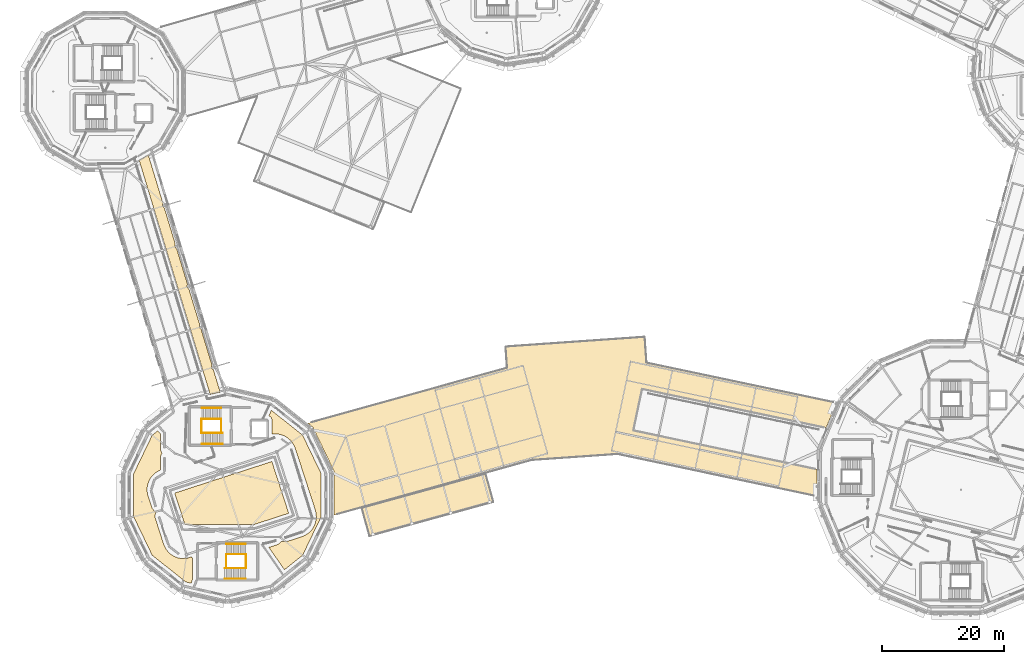
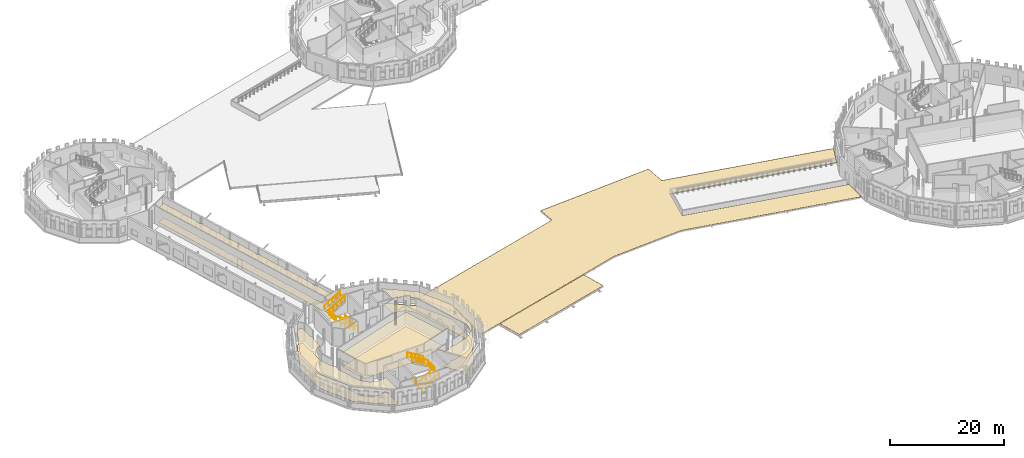
# One storey, part 85 of 90: 12 railings, 10 coverings.
"""IFC4 building model written with IfcOpenShell, lengths in metres."""

from ifc_helpers import new_model, si_unit, direction, frame, origin, origin_2d, place, context, subcontext, project, spatial, polyline, circle, outline, extrude, material, layer, layer_set, type_object, element, save


model = new_model("IFC4")

# Units and contexts
model_context = context("Model", 3, precision=1e-05, world=origin(), true_north=direction((0.0, 1.0)))
body_context = subcontext(model_context, "Body", "Model", "MODEL_VIEW")
ifc_project = project(units=[si_unit("LENGTHUNIT", "METRE"), si_unit("AREAUNIT", "SQUARE_METRE"), si_unit("VOLUMEUNIT", "CUBIC_METRE"), si_unit("PLANEANGLEUNIT", "RADIAN"), si_unit("MASSUNIT", "GRAM", prefix="KILO")], contexts=[model_context])

# Site, building, storey
site_placement = place(None, origin())
site = spatial("IfcSite", under=ifc_project, at=site_placement, CompositionType="ELEMENT")
building_placement = place(site_placement, origin())
building = spatial("IfcBuilding", under=site, at=building_placement, Name="Wrenclough Park School", CompositionType="ELEMENT")
storey_placement = place(building_placement, frame((0.0, 0.0, 8.39990234375)))
storey = spatial("IfcBuildingStorey", under=building, at=storey_placement, Name="L02", CompositionType="ELEMENT", Elevation=8.39990234375)

# Coverings
ifc_material_1 = material(Name="Patinated copper-alloy standing-seam eave cladding", Category="aluminium")
ifc_layer_1 = layer(ifc_material_1, 0.044921875)
ifc_layer_set_1 = layer_set([ifc_layer_1], Name="Patinated copper-alloy standing-seam eave cladding")
covering_type_1 = type_object("IfcCoveringType", Name="ENV-COV-EAVE", PredefinedType="CLADDING", material=ifc_layer_set_1)
covering_1_placement = place(storey_placement, origin())
element("IfcCovering", 1, at=covering_1_placement, inside=storey, type_object=covering_type_1, Name="Patinated copper overhanging eave cladding EAVE-W12-L02", PredefinedType="CLADDING", context=body_context, shape_type="SweptSolid", body=[
    extrude(outline(polyline([(86.192138671875, 29.23095703125), (100.22314453125, 30.212158203125), (132.891845703125, 23.306640625), (132.891845703125, 27.690185546875), (102.7724609375, 34.06103515625), (104.22314453125, 40.939208984375), (134.368896484375, 34.5625), (136.03564453125, 38.5869140625), (105.01220703125, 45.14453125), (104.716552734375, 49.372314453125), (81.971923828125, 47.781982421875), (82.21435546875, 44.31689453125), (49.666748046875, 35.260009765625), (50.45947265625, 34.623779296875), (53.90185546875, 27.47412109375), (53.90380859375, 20.246337890625), (86.192138671875, 29.23095703125)])), origin(), (0.0, 0.0, 1.0), 0.045166015625),
])
covering_2_placement = place(storey_placement, origin())
element("IfcCovering", 2, at=covering_2_placement, inside=storey, type_object=covering_type_1, Name="Patinated copper overhanging eave cladding EAVE-ENTRANCE", PredefinedType="CLADDING", context=body_context, shape_type="SweptSolid", body=[
    extrude(outline(polyline([(78.714599609375, 27.005126953125), (58.470458984375, 21.42138671875), (59.741455078125, 16.8134765625), (79.985595703125, 22.397216796875), (78.714599609375, 27.005126953125)])), origin(), (0.0, 0.0, 1.0), 0.045166015625),
])
ifc_material_2 = material(Name="Class A mineral-fibre acoustic ceiling raft", Category="gypsum")
ifc_layer_2 = layer(ifc_material_2, 0.044921875)
ifc_layer_set_2 = layer_set([ifc_layer_2], Name="Class A mineral-fibre acoustic ceiling raft")
covering_type_2 = type_object("IfcCoveringType", Name="INT-COV-CEIL", PredefinedType="CEILING", material=ifc_layer_set_2)
covering_3_placement = place(storey_placement, frame((0.0, 0.0, 3.05517578125)))
element("IfcCovering", 3, at=covering_3_placement, inside=storey, type_object=covering_type_2, Name="Assembly Hall acoustic ceiling raft", PredefinedType="CEILING", context=body_context, shape_type="SweptSolid", body=[
    extrude(outline(polyline([(27.883544921875, 23.851806640625), (29.5576171875, 18.699951171875), (40.82861328125, 18.699951171875), (46.5166015625, 20.548095703125), (43.76611328125, 29.012451171875), (27.883544921875, 23.851806640625)])), origin(), (0.0, 0.0, 1.0), 0.044921875),
])
covering_4_placement = place(storey_placement, frame((0.0, 0.0, 3.05517578125)))
element("IfcCovering", 4, at=covering_4_placement, inside=storey, type_object=covering_type_2, Name="Backstage Dressing Studio acoustic ceiling raft", PredefinedType="CEILING", context=body_context, shape_type="SweptSolid", body=[
    extrude(outline(polyline([(24.83349609375, 20.745361328125), (24.567626953125, 20.932861328125), (24.472900390625, 21.015380859375), (24.256591796875, 21.289306640625), (24.215087890625, 21.349365234375), (24.1806640625, 21.41357421875), (24.15380859375, 21.481201171875), (23.51318359375, 23.3955078125), (23.439453125, 23.685302734375), (23.423828125, 23.76904296875), (23.37060546875, 24.2177734375), (23.366455078125, 24.313232421875), (23.381103515625, 24.738037109375), (23.51025390625, 25.390625), (23.761474609375, 26.00439453125), (24.042236328125, 26.447998046875), (24.114013671875, 26.540283203125), (24.5205078125, 26.973876953125), (24.855224609375, 27.235107421875), (24.935791015625, 27.2880859375), (25.33642578125, 27.511962890625), (25.431884765625, 27.5556640625), (25.55322265625, 27.599609375), (25.5712890625, 29.728515625), (25.595703125, 29.85009765625), (25.673583984375, 30.10009765625), (25.720703125, 30.195556640625), (25.8134765625, 30.350341796875), (25.773193359375, 30.4228515625), (25.62744140625, 30.74462890625), (25.597412109375, 30.866455078125), (25.556640625, 31.146728515625), (25.550048828125, 31.240234375), (25.550048828125, 33.53076171875), (25.077392578125, 34.00341796875), (24.203369140625, 33.306396484375), (21.166259765625, 27.0), (21.166259765625, 20.000244140625), (24.203369140625, 13.693603515625), (29.67578125, 9.329345703125), (30.575927734375, 9.1240234375), (30.782470703125, 9.69189453125), (30.75048828125, 13.443115234375), (30.67578125, 13.416015625), (30.60400390625, 13.3994140625), (30.233642578125, 13.3369140625), (30.17724609375, 13.293701171875), (30.069580078125, 13.236083984375), (29.95263671875, 13.20068359375), (29.89208984375, 13.19189453125), (29.77001953125, 13.19189453125), (29.70947265625, 13.20068359375), (29.607666015625, 13.230712890625), (29.34033203125, 13.17138671875), (29.215087890625, 13.156005859375), (28.837890625, 13.180419921875), (28.735107421875, 13.1962890625), (28.3251953125, 13.295654296875), (27.722900390625, 13.5478515625), (27.168701171875, 13.917236328125), (26.751953125, 14.32080078125), (26.366943359375, 14.8583984375), (26.061767578125, 15.5439453125), (24.7177734375, 19.739013671875), (24.699462890625, 19.809814453125), (24.689208984375, 19.8818359375), (24.699951171875, 20.313720703125), (24.728759765625, 20.439697265625), (24.83349609375, 20.745361328125)])), origin(), (0.0, 0.0, 1.0), 0.044921875),
])
covering_5_placement = place(storey_placement, frame((0.0, 0.0, 3.05517578125)))
element("IfcCovering", 5, at=covering_5_placement, inside=storey, type_object=covering_type_2, Name="Stage Control Classroom acoustic ceiling raft", PredefinedType="CEILING", context=body_context, shape_type="SweptSolid", body=[
    extrude(outline(polyline([(43.77001953125, 35.820068359375), (43.77001953125, 33.482666015625), (44.1904296875, 33.52978515625), (44.872802734375, 33.48583984375), (45.55419921875, 33.29638671875), (45.671875, 33.25048828125), (46.074462890625, 33.04541015625), (46.147216796875, 33.002197265625), (46.37353515625, 32.8466796875), (46.448486328125, 32.78662109375), (46.900390625, 32.36181640625), (47.2607421875, 31.8662109375), (47.326904296875, 31.751220703125), (47.599365234375, 31.130126953125), (50.86328125, 21.084716796875), (51.005859375, 20.45556640625), (51.0283203125, 19.77734375), (50.90673828125, 19.0810546875), (50.872314453125, 18.959228515625), (50.707763671875, 18.53857421875), (50.6669921875, 18.453125), (50.4453125, 18.07373046875), (50.278076171875, 17.8466796875), (50.22314453125, 17.78173828125), (49.91015625, 17.4560546875), (49.81396484375, 17.373779296875), (49.234619140625, 16.972900390625), (48.692626953125, 16.73681640625), (46.21435546875, 15.93505859375), (46.085205078125, 15.907470703125), (45.625244140625, 15.901123046875), (45.551025390625, 15.90478515625), (45.477783203125, 15.9169921875), (45.324462890625, 15.96630859375), (45.266845703125, 15.88720703125), (45.212890625, 15.8310546875), (44.9560546875, 15.59912109375), (44.892333984375, 15.55810546875), (44.6689453125, 15.435791015625), (43.26318359375, 14.974365234375), (45.8212890625, 11.32080078125), (48.796630859375, 13.693603515625), (51.833740234375, 20.0), (51.833740234375, 26.999755859375), (48.796630859375, 33.306396484375), (43.689208984375, 37.37939453125), (43.258056640625, 36.45458984375), (43.36865234375, 36.42041015625), (43.481201171875, 36.360595703125), (43.57958984375, 36.279541015625), (43.62255859375, 36.232421875), (43.693115234375, 36.12646484375), (43.720458984375, 36.068603515625), (43.757568359375, 35.94677734375), (43.77001953125, 35.820068359375)])), origin(), (0.0, 0.0, 1.0), 0.044921875),
])
covering_6_placement = place(storey_placement, frame((0.0, 0.0, 3.05517578125)))
element("IfcCovering", 6, at=covering_6_placement, inside=storey, type_object=covering_type_2, Name="Design Tutorial Studio L02 acoustic ceiling raft", PredefinedType="CEILING", context=body_context, shape_type="SweptSolid", body=[
    extrude(outline(polyline([(33.681884765625, 39.9697265625), (35.314697265625, 40.34228515625), (34.200927734375, 44.01806640625), (34.134033203125, 44.05517578125), (34.093017578125, 44.085693359375), (34.0205078125, 44.157958984375), (33.9638671875, 44.242919921875), (33.9248046875, 44.33740234375), (33.90478515625, 44.43798828125), (33.90478515625, 44.5400390625), (33.9248046875, 44.640380859375), (33.94189453125, 44.688720703125), (33.97705078125, 44.7568359375), (32.200927734375, 50.617919921875), (32.093017578125, 50.685546875), (32.0205078125, 50.758056640625), (31.9638671875, 50.843017578125), (31.9248046875, 50.9375), (31.90478515625, 51.037841796875), (31.90478515625, 51.14013671875), (31.9248046875, 51.240478515625), (31.94189453125, 51.288818359375), (31.97705078125, 51.35693359375), (30.20068359375, 57.218017578125), (30.093017578125, 57.28564453125), (30.0205078125, 57.35791015625), (29.9638671875, 57.443115234375), (29.9248046875, 57.53759765625), (29.90478515625, 57.637939453125), (29.90478515625, 57.739990234375), (29.9248046875, 57.840576171875), (29.94189453125, 57.888671875), (29.976806640625, 57.956787109375), (28.20068359375, 63.818115234375), (28.093017578125, 63.885498046875), (28.0205078125, 63.9580078125), (27.9638671875, 64.04296875), (27.9248046875, 64.137451171875), (27.90478515625, 64.23779296875), (27.90478515625, 64.340087890625), (27.9248046875, 64.4404296875), (27.94189453125, 64.48876953125), (27.976806640625, 64.556884765625), (26.20068359375, 70.41796875), (26.093017578125, 70.485595703125), (26.0205078125, 70.55810546875), (25.9638671875, 70.64306640625), (25.9248046875, 70.737548828125), (25.90478515625, 70.837890625), (25.90478515625, 70.940185546875), (25.9248046875, 71.04052734375), (25.94189453125, 71.088623046875), (25.976806640625, 71.156982421875), (23.565185546875, 79.115478515625), (22.076416015625, 78.256103515625), (33.681884765625, 39.9697265625)])), origin(), (0.0, 0.0, 1.0), 0.044921875),
])
ifc_material_3 = material(Name="Acoustic natural linoleum school flooring", Category="wood")
ifc_layer_3 = layer(ifc_material_3, 0.014892578125)
ifc_layer_set_3 = layer_set([ifc_layer_3], Name="Acoustic natural linoleum school flooring")
covering_type_3 = type_object("IfcCoveringType", Name="INT-COV-FLOOR1", PredefinedType="FLOORING", material=ifc_layer_set_3)
covering_7_placement = place(storey_placement, origin())
element("IfcCovering", 7, at=covering_7_placement, inside=storey, type_object=covering_type_3, Name="Assembly Hall floor finish", PredefinedType="FLOORING", context=body_context, shape_type="SweptSolid", body=[
    extrude(outline(polyline([(27.883544921875, 23.851806640625), (29.5576171875, 18.699951171875), (40.82861328125, 18.699951171875), (46.5166015625, 20.548095703125), (43.76611328125, 29.012451171875), (27.883544921875, 23.851806640625)])), origin(), (0.0, 0.0, 1.0), 0.01513671875),
])
covering_8_placement = place(storey_placement, origin())
element("IfcCovering", 8, at=covering_8_placement, inside=storey, type_object=covering_type_3, Name="Backstage Dressing Studio floor finish", PredefinedType="FLOORING", context=body_context, shape_type="SweptSolid", body=[
    extrude(outline(polyline([(24.83349609375, 20.745361328125), (24.567626953125, 20.932861328125), (24.472900390625, 21.015380859375), (24.256591796875, 21.289306640625), (24.215087890625, 21.349365234375), (24.1806640625, 21.41357421875), (24.15380859375, 21.481201171875), (23.51318359375, 23.3955078125), (23.439453125, 23.685302734375), (23.423828125, 23.76904296875), (23.37060546875, 24.2177734375), (23.366455078125, 24.313232421875), (23.381103515625, 24.738037109375), (23.51025390625, 25.390625), (23.761474609375, 26.00439453125), (24.042236328125, 26.447998046875), (24.114013671875, 26.540283203125), (24.5205078125, 26.973876953125), (24.855224609375, 27.235107421875), (24.935791015625, 27.2880859375), (25.33642578125, 27.511962890625), (25.431884765625, 27.5556640625), (25.55322265625, 27.599609375), (25.5712890625, 29.728515625), (25.595703125, 29.85009765625), (25.673583984375, 30.10009765625), (25.720703125, 30.195556640625), (25.8134765625, 30.350341796875), (25.773193359375, 30.4228515625), (25.62744140625, 30.74462890625), (25.597412109375, 30.866455078125), (25.556640625, 31.146728515625), (25.550048828125, 31.240234375), (25.550048828125, 33.53076171875), (25.077392578125, 34.00341796875), (24.203369140625, 33.306396484375), (21.166259765625, 27.0), (21.166259765625, 20.000244140625), (24.203369140625, 13.693603515625), (29.67578125, 9.329345703125), (30.575927734375, 9.1240234375), (30.782470703125, 9.69189453125), (30.75048828125, 13.443115234375), (30.67578125, 13.416015625), (30.60400390625, 13.3994140625), (30.233642578125, 13.3369140625), (30.17724609375, 13.293701171875), (30.069580078125, 13.236083984375), (29.95263671875, 13.20068359375), (29.89208984375, 13.19189453125), (29.77001953125, 13.19189453125), (29.70947265625, 13.20068359375), (29.607666015625, 13.230712890625), (29.34033203125, 13.17138671875), (29.215087890625, 13.156005859375), (28.837890625, 13.180419921875), (28.735107421875, 13.1962890625), (28.3251953125, 13.295654296875), (27.722900390625, 13.5478515625), (27.168701171875, 13.917236328125), (26.751953125, 14.32080078125), (26.366943359375, 14.8583984375), (26.061767578125, 15.5439453125), (24.7177734375, 19.739013671875), (24.699462890625, 19.809814453125), (24.689208984375, 19.8818359375), (24.699951171875, 20.313720703125), (24.728759765625, 20.439697265625), (24.83349609375, 20.745361328125)])), origin(), (0.0, 0.0, 1.0), 0.01513671875),
])
covering_9_placement = place(storey_placement, origin())
element("IfcCovering", 9, at=covering_9_placement, inside=storey, type_object=covering_type_3, Name="Stage Control Classroom floor finish", PredefinedType="FLOORING", context=body_context, shape_type="SweptSolid", body=[
    extrude(outline(polyline([(43.77001953125, 35.820068359375), (43.77001953125, 33.482666015625), (44.1904296875, 33.52978515625), (44.872802734375, 33.48583984375), (45.55419921875, 33.29638671875), (45.671875, 33.25048828125), (46.074462890625, 33.04541015625), (46.147216796875, 33.002197265625), (46.37353515625, 32.8466796875), (46.448486328125, 32.78662109375), (46.900390625, 32.36181640625), (47.2607421875, 31.8662109375), (47.326904296875, 31.751220703125), (47.599365234375, 31.130126953125), (50.86328125, 21.084716796875), (51.005859375, 20.45556640625), (51.0283203125, 19.77734375), (50.90673828125, 19.0810546875), (50.872314453125, 18.959228515625), (50.707763671875, 18.53857421875), (50.6669921875, 18.453125), (50.4453125, 18.07373046875), (50.278076171875, 17.8466796875), (50.22314453125, 17.78173828125), (49.91015625, 17.4560546875), (49.81396484375, 17.373779296875), (49.234619140625, 16.972900390625), (48.692626953125, 16.73681640625), (46.21435546875, 15.93505859375), (46.085205078125, 15.907470703125), (45.625244140625, 15.901123046875), (45.551025390625, 15.90478515625), (45.477783203125, 15.9169921875), (45.324462890625, 15.96630859375), (45.266845703125, 15.88720703125), (45.212890625, 15.8310546875), (44.9560546875, 15.59912109375), (44.892333984375, 15.55810546875), (44.6689453125, 15.435791015625), (43.26318359375, 14.974365234375), (45.8212890625, 11.32080078125), (48.796630859375, 13.693603515625), (51.833740234375, 20.0), (51.833740234375, 26.999755859375), (48.796630859375, 33.306396484375), (43.689208984375, 37.37939453125), (43.258056640625, 36.45458984375), (43.36865234375, 36.42041015625), (43.481201171875, 36.360595703125), (43.57958984375, 36.279541015625), (43.62255859375, 36.232421875), (43.693115234375, 36.12646484375), (43.720458984375, 36.068603515625), (43.757568359375, 35.94677734375), (43.77001953125, 35.820068359375)])), origin(), (0.0, 0.0, 1.0), 0.01513671875),
])
covering_10_placement = place(storey_placement, origin())
element("IfcCovering", 10, at=covering_10_placement, inside=storey, type_object=covering_type_3, Name="Design Tutorial Studio L02 floor finish", PredefinedType="FLOORING", context=body_context, shape_type="SweptSolid", body=[
    extrude(outline(polyline([(33.681884765625, 39.9697265625), (35.314697265625, 40.34228515625), (34.200927734375, 44.01806640625), (34.134033203125, 44.05517578125), (34.093017578125, 44.085693359375), (34.0205078125, 44.157958984375), (33.9638671875, 44.242919921875), (33.9248046875, 44.33740234375), (33.90478515625, 44.43798828125), (33.90478515625, 44.5400390625), (33.9248046875, 44.640380859375), (33.94189453125, 44.688720703125), (33.97705078125, 44.7568359375), (32.200927734375, 50.617919921875), (32.093017578125, 50.685546875), (32.0205078125, 50.758056640625), (31.9638671875, 50.843017578125), (31.9248046875, 50.9375), (31.90478515625, 51.037841796875), (31.90478515625, 51.14013671875), (31.9248046875, 51.240478515625), (31.94189453125, 51.288818359375), (31.97705078125, 51.35693359375), (30.20068359375, 57.218017578125), (30.093017578125, 57.28564453125), (30.0205078125, 57.35791015625), (29.9638671875, 57.443115234375), (29.9248046875, 57.53759765625), (29.90478515625, 57.637939453125), (29.90478515625, 57.739990234375), (29.9248046875, 57.840576171875), (29.94189453125, 57.888671875), (29.976806640625, 57.956787109375), (28.20068359375, 63.818115234375), (28.093017578125, 63.885498046875), (28.0205078125, 63.9580078125), (27.9638671875, 64.04296875), (27.9248046875, 64.137451171875), (27.90478515625, 64.23779296875), (27.90478515625, 64.340087890625), (27.9248046875, 64.4404296875), (27.94189453125, 64.48876953125), (27.976806640625, 64.556884765625), (26.20068359375, 70.41796875), (26.093017578125, 70.485595703125), (26.0205078125, 70.55810546875), (25.9638671875, 70.64306640625), (25.9248046875, 70.737548828125), (25.90478515625, 70.837890625), (25.90478515625, 70.940185546875), (25.9248046875, 71.04052734375), (25.94189453125, 71.088623046875), (25.976806640625, 71.156982421875), (23.565185546875, 79.115478515625), (22.076416015625, 78.256103515625), (33.681884765625, 39.9697265625)])), origin(), (0.0, 0.0, 1.0), 0.01513671875),
])

# Railings
ifc_material_4 = material(Name="Powder-coated steel vertical-baluster stair and atrium guard", Category="steel")
railing_type_1 = type_object("IfcRailingType", Name="INT-RL-GD1120", PredefinedType="GUARDRAIL", material=ifc_material_4)
railing_1_placement = place(storey_placement, frame((35.4951171875, 33.64990234375, 0.0)))
element("IfcRailing", 11, at=railing_1_placement, inside=storey, type_object=railing_type_1, Name="ST-02 L02 well guard 1", PredefinedType="GUARDRAIL", context=body_context, shape_type="SweptSolid", body=[
    extrude(circle(Radius=0.02392578125, at=origin_2d()), frame((0.0, 0.0, 1.09619140625), z_axis=(0.0, 1.0, 0.0), x_axis=(-1.0, 0.0, 0.0)), (0.0, 0.0, 1.0), 2.300048828125),
    extrude(circle(Radius=0.02099609375, at=origin_2d()), origin(), (0.0, 0.0, 1.0), 1.072021484375),
    extrude(circle(Radius=0.02099609375, at=origin_2d()), frame((0.0, 0.7666015625, 0.0)), (0.0, 0.0, 1.0), 1.072021484375),
    extrude(circle(Radius=0.02099609375, at=origin_2d()), frame((0.0, 1.533447265625, 0.0)), (0.0, 0.0, 1.0), 1.072021484375),
    extrude(circle(Radius=0.02099609375, at=origin_2d()), frame((0.0, 2.300048828125, 0.0)), (0.0, 0.0, 1.0), 1.072021484375),
])
railing_2_placement = place(storey_placement, frame((35.739990234375, 33.64990234375, 0.168212890625)))
element("IfcRailing", 12, at=railing_2_placement, inside=storey, type_object=railing_type_1, Name="ST-02 L02 well guard 2", PredefinedType="GUARDRAIL", context=body_context, shape_type="SweptSolid", body=[
    extrude(circle(Radius=0.02392578125, at=origin_2d()), frame((0.0, 0.0, 1.09619140625), z_axis=(-0.861476970849, 0.0, 0.507796641084), x_axis=(0.0, -1.0, 0.0)), (0.0, 0.0, 1.0), 3.9697265625),
    extrude(circle(Radius=0.02099609375, at=origin_2d()), origin(), (0.0, 0.0, 1.0), 1.072021484375),
    extrude(circle(Radius=0.02099609375, at=origin_2d()), frame((-0.85498046875, 0.0, 0.50390625)), (0.0, 0.0, 1.0), 1.072021484375),
    extrude(circle(Radius=0.02099609375, at=origin_2d()), frame((-1.7099609375, 0.0, 1.0078125)), (0.0, 0.0, 1.0), 1.072021484375),
    extrude(circle(Radius=0.02099609375, at=origin_2d()), frame((-2.56494140625, 0.0, 1.511962890625)), (0.0, 0.0, 1.0), 1.072021484375),
    extrude(circle(Radius=0.02099609375, at=origin_2d()), frame((-3.419921875, 0.0, 2.015869140625)), (0.0, 0.0, 1.0), 1.072021484375),
])
railing_3_placement = place(storey_placement, frame((32.280029296875, 33.64990234375, 2.18408203125)))
element("IfcRailing", 13, at=railing_3_placement, inside=storey, type_object=railing_type_1, Name="ST-02 L02 well guard 3", PredefinedType="GUARDRAIL", context=body_context, shape_type="SweptSolid", body=[
    extrude(circle(Radius=0.02392578125, at=origin_2d()), frame((0.0, 0.0, 1.09619140625), z_axis=(0.0, 1.0, 0.0), x_axis=(-1.0, 0.0, 0.0)), (0.0, 0.0, 1.0), 2.300048828125),
    extrude(circle(Radius=0.02099609375, at=origin_2d()), origin(), (0.0, 0.0, 1.0), 1.072021484375),
    extrude(circle(Radius=0.02099609375, at=origin_2d()), frame((0.0, 0.7666015625, 0.0)), (0.0, 0.0, 1.0), 1.072021484375),
    extrude(circle(Radius=0.02099609375, at=origin_2d()), frame((0.0, 1.533447265625, 0.0)), (0.0, 0.0, 1.0), 1.072021484375),
    extrude(circle(Radius=0.02099609375, at=origin_2d()), frame((0.0, 2.300048828125, 0.0)), (0.0, 0.0, 1.0), 1.072021484375),
])
railing_4_placement = place(storey_placement, frame((32.320068359375, 35.949951171875, 2.35205078125)))
element("IfcRailing", 14, at=railing_4_placement, inside=storey, type_object=railing_type_1, Name="ST-02 L02 well guard 4", PredefinedType="GUARDRAIL", context=body_context, shape_type="SweptSolid", body=[
    extrude(circle(Radius=0.02392578125, at=origin_2d()), frame((0.0, 0.0, 1.09619140625), z_axis=(0.861450943231, 0.0, 0.507840794351), x_axis=(0.0, 1.0, 0.0)), (0.0, 0.0, 1.0), 3.63916015625),
    extrude(circle(Radius=0.02099609375, at=origin_2d()), origin(), (0.0, 0.0, 1.0), 1.072021484375),
    extrude(circle(Radius=0.02099609375, at=origin_2d()), frame((0.78369140625, 0.0, 0.4619140625)), (0.0, 0.0, 1.0), 1.072021484375),
    extrude(circle(Radius=0.02099609375, at=origin_2d()), frame((1.5673828125, 0.0, 0.924072265625)), (0.0, 0.0, 1.0), 1.072021484375),
    extrude(circle(Radius=0.02099609375, at=origin_2d()), frame((2.351318359375, 0.0, 1.38623046875)), (0.0, 0.0, 1.0), 1.072021484375),
    extrude(circle(Radius=0.02099609375, at=origin_2d()), frame((3.135009765625, 0.0, 1.84814453125)), (0.0, 0.0, 1.0), 1.072021484375),
])
railing_5_placement = place(storey_placement, frame((36.304931640625, 11.550048828125, 0.0)))
element("IfcRailing", 15, at=railing_5_placement, inside=storey, type_object=railing_type_1, Name="ST-13 L02 well guard 1", PredefinedType="GUARDRAIL", context=body_context, shape_type="SweptSolid", body=[
    extrude(circle(Radius=0.02392578125, at=origin_2d()), frame((0.0, 0.0, 1.09619140625), z_axis=(0.0, 1.0, 0.0), x_axis=(-1.0, 0.0, 0.0)), (0.0, 0.0, 1.0), 2.300048828125),
    extrude(circle(Radius=0.02099609375, at=origin_2d()), origin(), (0.0, 0.0, 1.0), 1.072021484375),
    extrude(circle(Radius=0.02099609375, at=origin_2d()), frame((0.0, 0.7666015625, 0.0)), (0.0, 0.0, 1.0), 1.072021484375),
    extrude(circle(Radius=0.02099609375, at=origin_2d()), frame((0.0, 1.533447265625, 0.0)), (0.0, 0.0, 1.0), 1.072021484375),
    extrude(circle(Radius=0.02099609375, at=origin_2d()), frame((0.0, 2.300048828125, 0.0)), (0.0, 0.0, 1.0), 1.072021484375),
])
railing_6_placement = place(storey_placement, frame((36.06005859375, 11.550048828125, 0.168212890625)))
element("IfcRailing", 16, at=railing_6_placement, inside=storey, type_object=railing_type_1, Name="ST-13 L02 well guard 2", PredefinedType="GUARDRAIL", context=body_context, shape_type="SweptSolid", body=[
    extrude(circle(Radius=0.02392578125, at=origin_2d()), frame((0.0, 0.0, 1.09619140625), z_axis=(0.861476970849, 0.0, 0.507796641084), x_axis=(0.0, 1.0, 0.0)), (0.0, 0.0, 1.0), 3.9697265625),
    extrude(circle(Radius=0.02099609375, at=origin_2d()), origin(), (0.0, 0.0, 1.0), 1.072021484375),
    extrude(circle(Radius=0.02099609375, at=origin_2d()), frame((0.85498046875, 0.0, 0.50390625)), (0.0, 0.0, 1.0), 1.072021484375),
    extrude(circle(Radius=0.02099609375, at=origin_2d()), frame((1.7099609375, 0.0, 1.0078125)), (0.0, 0.0, 1.0), 1.072021484375),
    extrude(circle(Radius=0.02099609375, at=origin_2d()), frame((2.56494140625, 0.0, 1.511962890625)), (0.0, 0.0, 1.0), 1.072021484375),
    extrude(circle(Radius=0.02099609375, at=origin_2d()), frame((3.419921875, 0.0, 2.015869140625)), (0.0, 0.0, 1.0), 1.072021484375),
])
railing_7_placement = place(storey_placement, frame((39.52001953125, 11.550048828125, 2.18408203125)))
element("IfcRailing", 17, at=railing_7_placement, inside=storey, type_object=railing_type_1, Name="ST-13 L02 well guard 3", PredefinedType="GUARDRAIL", context=body_context, shape_type="SweptSolid", body=[
    extrude(circle(Radius=0.02392578125, at=origin_2d()), frame((0.0, 0.0, 1.09619140625), z_axis=(0.0, 1.0, 0.0), x_axis=(-1.0, 0.0, 0.0)), (0.0, 0.0, 1.0), 2.300048828125),
    extrude(circle(Radius=0.02099609375, at=origin_2d()), origin(), (0.0, 0.0, 1.0), 1.072021484375),
    extrude(circle(Radius=0.02099609375, at=origin_2d()), frame((0.0, 0.7666015625, 0.0)), (0.0, 0.0, 1.0), 1.072021484375),
    extrude(circle(Radius=0.02099609375, at=origin_2d()), frame((0.0, 1.533447265625, 0.0)), (0.0, 0.0, 1.0), 1.072021484375),
    extrude(circle(Radius=0.02099609375, at=origin_2d()), frame((0.0, 2.300048828125, 0.0)), (0.0, 0.0, 1.0), 1.072021484375),
])
railing_8_placement = place(storey_placement, frame((39.47998046875, 13.85009765625, 2.35205078125)))
element("IfcRailing", 18, at=railing_8_placement, inside=storey, type_object=railing_type_1, Name="ST-13 L02 well guard 4", PredefinedType="GUARDRAIL", context=body_context, shape_type="SweptSolid", body=[
    extrude(circle(Radius=0.02392578125, at=origin_2d()), frame((0.0, 0.0, 1.09619140625), z_axis=(-0.861450943231, 0.0, 0.507840794351), x_axis=(0.0, -1.0, 0.0)), (0.0, 0.0, 1.0), 3.63916015625),
    extrude(circle(Radius=0.02099609375, at=origin_2d()), origin(), (0.0, 0.0, 1.0), 1.072021484375),
    extrude(circle(Radius=0.02099609375, at=origin_2d()), frame((-0.78369140625, 0.0, 0.4619140625)), (0.0, 0.0, 1.0), 1.072021484375),
    extrude(circle(Radius=0.02099609375, at=origin_2d()), frame((-1.5673828125, 0.0, 0.924072265625)), (0.0, 0.0, 1.0), 1.072021484375),
    extrude(circle(Radius=0.02099609375, at=origin_2d()), frame((-2.351318359375, 0.0, 1.38623046875)), (0.0, 0.0, 1.0), 1.072021484375),
    extrude(circle(Radius=0.02099609375, at=origin_2d()), frame((-3.135009765625, 0.0, 1.84814453125)), (0.0, 0.0, 1.0), 1.072021484375),
])
ifc_material_5 = material(Name="Brushed stainless steel tubular handrail", Category="steel")
railing_type_2 = type_object("IfcRailingType", Name="INT-RL-HR950", PredefinedType="HANDRAIL", material=ifc_material_5)
railing_9_placement = place(storey_placement, frame((35.739990234375, 31.85009765625, 0.168212890625)))
element("IfcRailing", 19, at=railing_9_placement, inside=storey, type_object=railing_type_2, Name="ST-02 L02 pitch handrail 1", PredefinedType="HANDRAIL", context=body_context, shape_type="SweptSolid", body=[
    extrude(circle(Radius=0.02392578125, at=origin_2d()), frame((0.0, 0.0, 0.92578125), z_axis=(-0.861476970849, 0.0, 0.507796641084), x_axis=(0.0, -1.0, 0.0)), (0.0, 0.0, 1.0), 3.9697265625),
    extrude(circle(Radius=0.02099609375, at=origin_2d()), origin(), (0.0, 0.0, 1.0), 0.90185546875),
    extrude(circle(Radius=0.02099609375, at=origin_2d()), frame((-0.85498046875, 0.0, 0.50390625)), (0.0, 0.0, 1.0), 0.90185546875),
    extrude(circle(Radius=0.02099609375, at=origin_2d()), frame((-1.7099609375, 0.0, 1.0078125)), (0.0, 0.0, 1.0), 0.90185546875),
    extrude(circle(Radius=0.02099609375, at=origin_2d()), frame((-2.56494140625, 0.0, 1.511962890625)), (0.0, 0.0, 1.0), 0.90185546875),
    extrude(circle(Radius=0.02099609375, at=origin_2d()), frame((-3.419921875, 0.0, 2.015869140625)), (0.0, 0.0, 1.0), 0.90185546875),
])
railing_10_placement = place(storey_placement, frame((32.320068359375, 37.75, 2.35205078125)))
element("IfcRailing", 20, at=railing_10_placement, inside=storey, type_object=railing_type_2, Name="ST-02 L02 pitch handrail 2", PredefinedType="HANDRAIL", context=body_context, shape_type="SweptSolid", body=[
    extrude(circle(Radius=0.02392578125, at=origin_2d()), frame((0.0, 0.0, 0.92578125), z_axis=(0.861450943231, 0.0, 0.507840794351), x_axis=(0.0, 1.0, 0.0)), (0.0, 0.0, 1.0), 3.63916015625),
    extrude(circle(Radius=0.02099609375, at=origin_2d()), origin(), (0.0, 0.0, 1.0), 0.90185546875),
    extrude(circle(Radius=0.02099609375, at=origin_2d()), frame((0.78369140625, 0.0, 0.4619140625)), (0.0, 0.0, 1.0), 0.90185546875),
    extrude(circle(Radius=0.02099609375, at=origin_2d()), frame((1.5673828125, 0.0, 0.924072265625)), (0.0, 0.0, 1.0), 0.90185546875),
    extrude(circle(Radius=0.02099609375, at=origin_2d()), frame((2.351318359375, 0.0, 1.38623046875)), (0.0, 0.0, 1.0), 0.90185546875),
    extrude(circle(Radius=0.02099609375, at=origin_2d()), frame((3.135009765625, 0.0, 1.84814453125)), (0.0, 0.0, 1.0), 0.90185546875),
])
railing_11_placement = place(storey_placement, frame((36.06005859375, 9.85009765625, 0.168212890625)))
element("IfcRailing", 21, at=railing_11_placement, inside=storey, type_object=railing_type_2, Name="ST-13 L02 pitch handrail 1", PredefinedType="HANDRAIL", context=body_context, shape_type="SweptSolid", body=[
    extrude(circle(Radius=0.02392578125, at=origin_2d()), frame((0.0, 0.0, 0.92578125), z_axis=(0.861476970849, 0.0, 0.507796641084), x_axis=(0.0, 1.0, 0.0)), (0.0, 0.0, 1.0), 3.9697265625),
    extrude(circle(Radius=0.02099609375, at=origin_2d()), origin(), (0.0, 0.0, 1.0), 0.90185546875),
    extrude(circle(Radius=0.02099609375, at=origin_2d()), frame((0.85498046875, 0.0, 0.50390625)), (0.0, 0.0, 1.0), 0.90185546875),
    extrude(circle(Radius=0.02099609375, at=origin_2d()), frame((1.7099609375, 0.0, 1.0078125)), (0.0, 0.0, 1.0), 0.90185546875),
    extrude(circle(Radius=0.02099609375, at=origin_2d()), frame((2.56494140625, 0.0, 1.511962890625)), (0.0, 0.0, 1.0), 0.90185546875),
    extrude(circle(Radius=0.02099609375, at=origin_2d()), frame((3.419921875, 0.0, 2.015869140625)), (0.0, 0.0, 1.0), 0.90185546875),
])
railing_12_placement = place(storey_placement, frame((39.47998046875, 15.550048828125, 2.35205078125)))
element("IfcRailing", 22, at=railing_12_placement, inside=storey, type_object=railing_type_2, Name="ST-13 L02 pitch handrail 2", PredefinedType="HANDRAIL", context=body_context, shape_type="SweptSolid", body=[
    extrude(circle(Radius=0.02392578125, at=origin_2d()), frame((0.0, 0.0, 0.92578125), z_axis=(-0.861450943231, 0.0, 0.507840794351), x_axis=(0.0, -1.0, 0.0)), (0.0, 0.0, 1.0), 3.63916015625),
    extrude(circle(Radius=0.02099609375, at=origin_2d()), origin(), (0.0, 0.0, 1.0), 0.90185546875),
    extrude(circle(Radius=0.02099609375, at=origin_2d()), frame((-0.78369140625, 0.0, 0.4619140625)), (0.0, 0.0, 1.0), 0.90185546875),
    extrude(circle(Radius=0.02099609375, at=origin_2d()), frame((-1.5673828125, 0.0, 0.924072265625)), (0.0, 0.0, 1.0), 0.90185546875),
    extrude(circle(Radius=0.02099609375, at=origin_2d()), frame((-2.351318359375, 0.0, 1.38623046875)), (0.0, 0.0, 1.0), 0.90185546875),
    extrude(circle(Radius=0.02099609375, at=origin_2d()), frame((-3.135009765625, 0.0, 1.84814453125)), (0.0, 0.0, 1.0), 0.90185546875),
])

save(model, "model.ifc")
